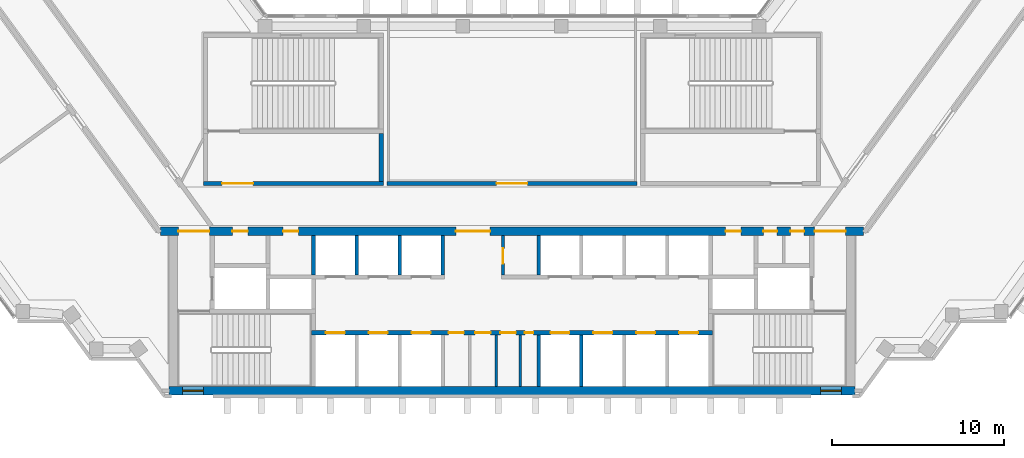
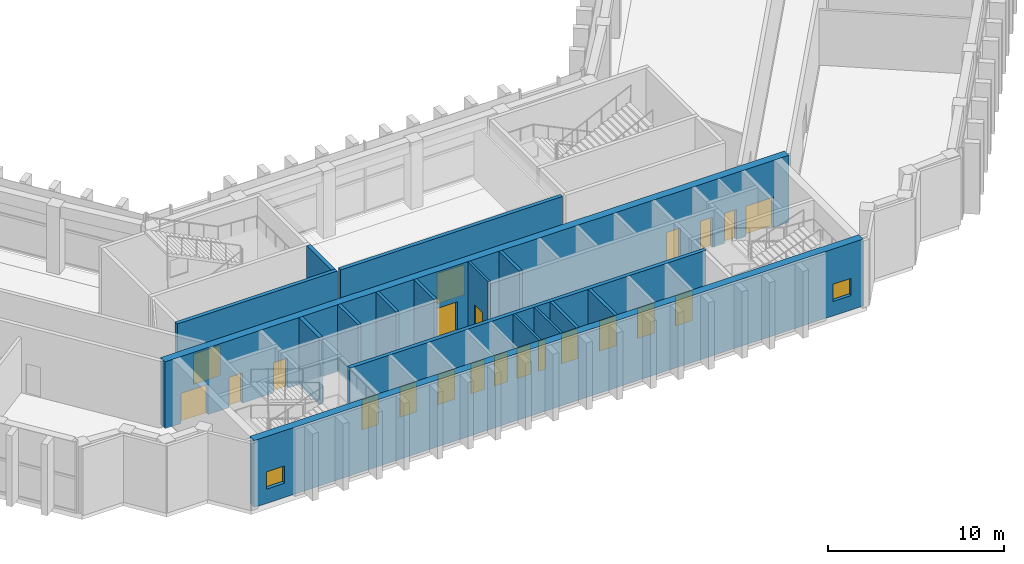
# One storey, part 9 of 14: 22 doors, 16 walls, 2 windows, 24 openings.
"""IFC4 building model written with IfcOpenShell, lengths in metres."""

from ifc_helpers import new_model, si_unit, direction, frame, frame_2d, origin, place, context, subcontext, project, spatial, rectangle, extrude, material, layer, layer_set, type_object, element, fill, save


model = new_model("IFC4")

# Units and contexts
model_context = context("Model", 3, precision=1e-05, world=origin(), true_north=direction((0.0, 1.0)))
body_context = subcontext(model_context, "Body", "Model", "MODEL_VIEW")
ifc_project = project(units=[si_unit("LENGTHUNIT", "METRE"), si_unit("AREAUNIT", "SQUARE_METRE"), si_unit("VOLUMEUNIT", "CUBIC_METRE"), si_unit("PLANEANGLEUNIT", "RADIAN"), si_unit("MASSUNIT", "GRAM", prefix="KILO")], contexts=[model_context])

# Site, building, storey
site_placement = place(None, origin())
site = spatial("IfcSite", under=ifc_project, at=site_placement, CompositionType="ELEMENT")
building_placement = place(site_placement, origin())
building = spatial("IfcBuilding", under=site, at=building_placement, Name="Quipu Civic Tower", CompositionType="ELEMENT")
storey_placement = place(building_placement, frame((0.0, 0.0, 139.0)))
storey = spatial("IfcBuildingStorey", under=building, at=storey_placement, Name="L32", CompositionType="ELEMENT", Elevation=139.0)

# Wall, openings, doors
ifc_material_1 = material(Name="Concrete C70/85", Category="concrete")
ifc_layer_1 = layer(ifc_material_1, 0.25)
ifc_layer_set_1 = layer_set([ifc_layer_1], Name="Concrete C70/85")
wall_type_1 = type_object("IfcWallType", Name="Core wall 250", PredefinedType="SHEAR", material=ifc_layer_set_1)
wall_1_placement = place(storey_placement, frame((11.699951171875, -7.375, 0.0), z_axis=(0.0, 0.0, 1.0), x_axis=(-1.0, 0.0, 0.0)))
wall_1 = element("IfcWall", 1, at=wall_1_placement, inside=storey, type_object=wall_type_1, Name="Core wall", PredefinedType="SHEAR", context=body_context, shape_type="SweptSolid", body=[
    extrude(rectangle(XDim=23.39990234375, YDim=0.25, at=frame_2d((11.699951171875, 0.0))), origin(), (0.0, 0.0, 1.0), 4.64990234375),
])
opening_1_placement = place(wall_1_placement, frame((21.449951171875, 0.0, 0.0)))
opening_1 = element("IfcOpeningElement", 2, at=opening_1_placement, cuts=wall_1, Name="Opening LD-LL1", PredefinedType="OPENING", context=body_context, shape_type="SweptSolid", body=[
    extrude(rectangle(XDim=1.10009765625, YDim=2.10009765625, at=frame_2d((0.550048828125, 1.050048828125))), frame((0.0, 0.135009765625, 0.0), z_axis=(0.0, -1.0, 0.0), x_axis=(1.0, 0.0, 0.0)), (0.0, 0.0, 1.0), 0.27001953125),
])
opening_2_placement = place(wall_1_placement, frame((18.949951171875, 0.0, 0.0)))
opening_2 = element("IfcOpeningElement", 3, at=opening_2_placement, cuts=wall_1, Name="Opening LD-LL2", PredefinedType="OPENING", context=body_context, shape_type="SweptSolid", body=[
    extrude(rectangle(XDim=1.10009765625, YDim=2.10009765625, at=frame_2d((0.550048828125, 1.050048828125))), frame((0.0, 0.135009765625, 0.0), z_axis=(0.0, -1.0, 0.0), x_axis=(1.0, 0.0, 0.0)), (0.0, 0.0, 1.0), 0.27001953125),
])
opening_3_placement = place(wall_1_placement, frame((16.449951171875, 0.0, 0.0)))
opening_3 = element("IfcOpeningElement", 4, at=opening_3_placement, cuts=wall_1, Name="Opening LD-LL3", PredefinedType="OPENING", context=body_context, shape_type="SweptSolid", body=[
    extrude(rectangle(XDim=1.10009765625, YDim=2.10009765625, at=frame_2d((0.550048828125, 1.050048828125))), frame((0.0, 0.135009765625, 0.0), z_axis=(0.0, -1.0, 0.0), x_axis=(1.0, 0.0, 0.0)), (0.0, 0.0, 1.0), 0.27001953125),
])
opening_4_placement = place(wall_1_placement, frame((14.5, 0.0, 0.0)))
opening_4 = element("IfcOpeningElement", 5, at=opening_4_placement, cuts=wall_1, Name="Opening CD-01", PredefinedType="OPENING", context=body_context, shape_type="SweptSolid", body=[
    extrude(rectangle(XDim=0.89990234375, YDim=2.10009765625, at=frame_2d((0.449951171875, 1.050048828125))), frame((0.0, 0.135009765625, 0.0), z_axis=(0.0, -1.0, 0.0), x_axis=(1.0, 0.0, 0.0)), (0.0, 0.0, 1.0), 0.27001953125),
])
opening_5_placement = place(wall_1_placement, frame((12.949951171875, 0.0, 0.0)))
opening_5 = element("IfcOpeningElement", 6, at=opening_5_placement, cuts=wall_1, Name="Opening CD-02", PredefinedType="OPENING", context=body_context, shape_type="SweptSolid", body=[
    extrude(rectangle(XDim=0.89990234375, YDim=2.10009765625, at=frame_2d((0.449951171875, 1.050048828125))), frame((0.0, 0.135009765625, 0.0), z_axis=(0.0, -1.0, 0.0), x_axis=(1.0, 0.0, 0.0)), (0.0, 0.0, 1.0), 0.27001953125),
])
opening_6_placement = place(wall_1_placement, frame((11.47509765625, 0.0, 0.0)))
opening_6 = element("IfcOpeningElement", 7, at=opening_6_placement, cuts=wall_1, Name="Opening CD-03", PredefinedType="OPENING", context=body_context, shape_type="SweptSolid", body=[
    extrude(rectangle(XDim=0.89990234375, YDim=2.10009765625, at=frame_2d((0.449951171875, 1.050048828125))), frame((0.0, 0.135009765625, 0.0), z_axis=(0.0, -1.0, 0.0), x_axis=(1.0, 0.0, 0.0)), (0.0, 0.0, 1.0), 0.27001953125),
])
opening_7_placement = place(wall_1_placement, frame((10.449951171875, 0.0, 0.0)))
opening_7 = element("IfcOpeningElement", 8, at=opening_7_placement, cuts=wall_1, Name="Opening CD-04", PredefinedType="OPENING", context=body_context, shape_type="SweptSolid", body=[
    extrude(rectangle(XDim=0.5, YDim=2.10009765625, at=frame_2d((0.25, 1.050048828125))), frame((0.0, 0.135009765625, 0.0), z_axis=(0.0, -1.0, 0.0), x_axis=(1.0, 0.0, 0.0)), (0.0, 0.0, 1.0), 0.27001953125),
])
opening_8_placement = place(wall_1_placement, frame((8.35009765625, 0.0, 0.0)))
opening_8 = element("IfcOpeningElement", 9, at=opening_8_placement, cuts=wall_1, Name="Opening LD-ML1", PredefinedType="OPENING", context=body_context, shape_type="SweptSolid", body=[
    extrude(rectangle(XDim=1.10009765625, YDim=2.10009765625, at=frame_2d((0.550048828125, 1.050048828125))), frame((0.0, 0.135009765625, 0.0), z_axis=(0.0, -1.0, 0.0), x_axis=(1.0, 0.0, 0.0)), (0.0, 0.0, 1.0), 0.27001953125),
])
opening_9_placement = place(wall_1_placement, frame((5.85009765625, 0.0, 0.0)))
opening_9 = element("IfcOpeningElement", 10, at=opening_9_placement, cuts=wall_1, Name="Opening LD-ML2", PredefinedType="OPENING", context=body_context, shape_type="SweptSolid", body=[
    extrude(rectangle(XDim=1.10009765625, YDim=2.10009765625, at=frame_2d((0.550048828125, 1.050048828125))), frame((0.0, 0.135009765625, 0.0), z_axis=(0.0, -1.0, 0.0), x_axis=(1.0, 0.0, 0.0)), (0.0, 0.0, 1.0), 0.27001953125),
])
opening_10_placement = place(wall_1_placement, frame((3.35009765625, 0.0, 0.0)))
opening_10 = element("IfcOpeningElement", 11, at=opening_10_placement, cuts=wall_1, Name="Opening LD-ML3", PredefinedType="OPENING", context=body_context, shape_type="SweptSolid", body=[
    extrude(rectangle(XDim=1.10009765625, YDim=2.10009765625, at=frame_2d((0.550048828125, 1.050048828125))), frame((0.0, 0.135009765625, 0.0), z_axis=(0.0, -1.0, 0.0), x_axis=(1.0, 0.0, 0.0)), (0.0, 0.0, 1.0), 0.27001953125),
])
opening_11_placement = place(wall_1_placement, frame((0.85009765625, 0.0, 0.0)))
opening_11 = element("IfcOpeningElement", 12, at=opening_11_placement, cuts=wall_1, Name="Opening LD-ML4", PredefinedType="OPENING", context=body_context, shape_type="SweptSolid", body=[
    extrude(rectangle(XDim=1.10009765625, YDim=2.10009765625, at=frame_2d((0.550048828125, 1.050048828125))), frame((0.0, 0.135009765625, 0.0), z_axis=(0.0, -1.0, 0.0), x_axis=(1.0, 0.0, 0.0)), (0.0, 0.0, 1.0), 0.27001953125),
])
ifc_material_2 = material(Name="Fire rated steel door", Category="steel")
door_type_1 = type_object("IfcDoorType", Name="Fire door FD60 500 x 2100", OperationType="NOTDEFINED", PredefinedType="DOOR", material=ifc_material_2)
door_1_placement = place(opening_7_placement, origin())
door_1 = element("IfcDoor", 13, at=door_1_placement, inside=storey, type_object=door_type_1, Name="Door", OperationType="SINGLE_SWING_LEFT", OverallHeight=2.10009765625, OverallWidth=0.5, PredefinedType="DOOR", context=body_context, shape_type="SweptSolid", body=[
    extrude(rectangle(XDim=0.5, YDim=2.10009765625, at=frame_2d((0.25, 1.050048828125))), frame((0.0, 0.02490234375, 0.0), z_axis=(0.0, -1.0, 0.0), x_axis=(1.0, 0.0, 0.0)), (0.0, 0.0, 1.0), 0.050048828125),
])
fill(opening_7, door_1)
ifc_material_3 = material(Name="Fire rated steel door", Category="steel")
door_type_2 = type_object("IfcDoorType", Name="Fire door FD60 900 x 2100", OperationType="NOTDEFINED", PredefinedType="DOOR", material=ifc_material_3)
door_2_placement = place(opening_4_placement, origin())
door_2 = element("IfcDoor", 14, at=door_2_placement, inside=storey, type_object=door_type_2, Name="WC door", OperationType="SINGLE_SWING_RIGHT", OverallHeight=2.10009765625, OverallWidth=0.89990234375, PredefinedType="DOOR", context=body_context, shape_type="SweptSolid", body=[
    extrude(rectangle(XDim=0.89990234375, YDim=2.10009765625, at=frame_2d((0.449951171875, 1.050048828125))), frame((0.0, 0.02490234375, 0.0), z_axis=(0.0, -1.0, 0.0), x_axis=(1.0, 0.0, 0.0)), (0.0, 0.0, 1.0), 0.050048828125),
])
fill(opening_4, door_2)
door_3_placement = place(opening_5_placement, origin())
door_3 = element("IfcDoor", 15, at=door_3_placement, inside=storey, type_object=door_type_2, Name="WC door", OperationType="SINGLE_SWING_RIGHT", OverallHeight=2.10009765625, OverallWidth=0.89990234375, PredefinedType="DOOR", context=body_context, shape_type="SweptSolid", body=[
    extrude(rectangle(XDim=0.89990234375, YDim=2.10009765625, at=frame_2d((0.449951171875, 1.050048828125))), frame((0.0, 0.02490234375, 0.0), z_axis=(0.0, -1.0, 0.0), x_axis=(1.0, 0.0, 0.0)), (0.0, 0.0, 1.0), 0.050048828125),
])
fill(opening_5, door_3)
door_4_placement = place(opening_6_placement, origin())
door_4 = element("IfcDoor", 16, at=door_4_placement, inside=storey, type_object=door_type_2, Name="WC door", OperationType="SINGLE_SWING_RIGHT", OverallHeight=2.10009765625, OverallWidth=0.89990234375, PredefinedType="DOOR", context=body_context, shape_type="SweptSolid", body=[
    extrude(rectangle(XDim=0.89990234375, YDim=2.10009765625, at=frame_2d((0.449951171875, 1.050048828125))), frame((0.0, 0.02490234375, 0.0), z_axis=(0.0, -1.0, 0.0), x_axis=(1.0, 0.0, 0.0)), (0.0, 0.0, 1.0), 0.050048828125),
])
fill(opening_6, door_4)
ifc_material_4 = material(Name="Stainless steel", Category="steel")
door_type_3 = type_object("IfcDoorType", Name="Lift landing door 1100 x 2100", OperationType="DOUBLE_DOOR_SLIDING", PredefinedType="DOOR", material=ifc_material_4)
door_5_placement = place(opening_1_placement, origin())
door_5 = element("IfcDoor", 17, at=door_5_placement, inside=storey, type_object=door_type_3, Name="Landing door LL1", OperationType="DOUBLE_DOOR_SLIDING", OverallHeight=2.10009765625, OverallWidth=1.10009765625, PredefinedType="DOOR", context=body_context, shape_type="SweptSolid", body=[
    extrude(rectangle(XDim=1.10009765625, YDim=2.10009765625, at=frame_2d((0.550048828125, 1.050048828125))), frame((0.0, 0.02490234375, 0.0), z_axis=(0.0, -1.0, 0.0), x_axis=(1.0, 0.0, 0.0)), (0.0, 0.0, 1.0), 0.050048828125),
])
fill(opening_1, door_5)
door_6_placement = place(opening_2_placement, origin())
door_6 = element("IfcDoor", 18, at=door_6_placement, inside=storey, type_object=door_type_3, Name="Landing door LL2", OperationType="DOUBLE_DOOR_SLIDING", OverallHeight=2.10009765625, OverallWidth=1.10009765625, PredefinedType="DOOR", context=body_context, shape_type="SweptSolid", body=[
    extrude(rectangle(XDim=1.10009765625, YDim=2.10009765625, at=frame_2d((0.550048828125, 1.050048828125))), frame((0.0, 0.02490234375, 0.0), z_axis=(0.0, -1.0, 0.0), x_axis=(1.0, 0.0, 0.0)), (0.0, 0.0, 1.0), 0.050048828125),
])
fill(opening_2, door_6)
door_7_placement = place(opening_3_placement, origin())
door_7 = element("IfcDoor", 19, at=door_7_placement, inside=storey, type_object=door_type_3, Name="Landing door LL3", OperationType="DOUBLE_DOOR_SLIDING", OverallHeight=2.10009765625, OverallWidth=1.10009765625, PredefinedType="DOOR", context=body_context, shape_type="SweptSolid", body=[
    extrude(rectangle(XDim=1.10009765625, YDim=2.10009765625, at=frame_2d((0.550048828125, 1.050048828125))), frame((0.0, 0.02490234375, 0.0), z_axis=(0.0, -1.0, 0.0), x_axis=(1.0, 0.0, 0.0)), (0.0, 0.0, 1.0), 0.050048828125),
])
fill(opening_3, door_7)
door_8_placement = place(opening_8_placement, origin())
door_8 = element("IfcDoor", 20, at=door_8_placement, inside=storey, type_object=door_type_3, Name="Landing door ML1", OperationType="DOUBLE_DOOR_SLIDING", OverallHeight=2.10009765625, OverallWidth=1.10009765625, PredefinedType="DOOR", context=body_context, shape_type="SweptSolid", body=[
    extrude(rectangle(XDim=1.10009765625, YDim=2.10009765625, at=frame_2d((0.550048828125, 1.050048828125))), frame((0.0, 0.02490234375, 0.0), z_axis=(0.0, -1.0, 0.0), x_axis=(1.0, 0.0, 0.0)), (0.0, 0.0, 1.0), 0.050048828125),
])
fill(opening_8, door_8)
door_9_placement = place(opening_9_placement, origin())
door_9 = element("IfcDoor", 21, at=door_9_placement, inside=storey, type_object=door_type_3, Name="Landing door ML2", OperationType="DOUBLE_DOOR_SLIDING", OverallHeight=2.10009765625, OverallWidth=1.10009765625, PredefinedType="DOOR", context=body_context, shape_type="SweptSolid", body=[
    extrude(rectangle(XDim=1.10009765625, YDim=2.10009765625, at=frame_2d((0.550048828125, 1.050048828125))), frame((0.0, 0.02490234375, 0.0), z_axis=(0.0, -1.0, 0.0), x_axis=(1.0, 0.0, 0.0)), (0.0, 0.0, 1.0), 0.050048828125),
])
fill(opening_9, door_9)
door_10_placement = place(opening_10_placement, origin())
door_10 = element("IfcDoor", 22, at=door_10_placement, inside=storey, type_object=door_type_3, Name="Landing door ML3", OperationType="DOUBLE_DOOR_SLIDING", OverallHeight=2.10009765625, OverallWidth=1.10009765625, PredefinedType="DOOR", context=body_context, shape_type="SweptSolid", body=[
    extrude(rectangle(XDim=1.10009765625, YDim=2.10009765625, at=frame_2d((0.550048828125, 1.050048828125))), frame((0.0, 0.02490234375, 0.0), z_axis=(0.0, -1.0, 0.0), x_axis=(1.0, 0.0, 0.0)), (0.0, 0.0, 1.0), 0.050048828125),
])
fill(opening_10, door_10)
door_11_placement = place(opening_11_placement, origin())
door_11 = element("IfcDoor", 23, at=door_11_placement, inside=storey, type_object=door_type_3, Name="Landing door ML4", OperationType="DOUBLE_DOOR_SLIDING", OverallHeight=2.10009765625, OverallWidth=1.10009765625, PredefinedType="DOOR", context=body_context, shape_type="SweptSolid", body=[
    extrude(rectangle(XDim=1.10009765625, YDim=2.10009765625, at=frame_2d((0.550048828125, 1.050048828125))), frame((0.0, 0.02490234375, 0.0), z_axis=(0.0, -1.0, 0.0), x_axis=(1.0, 0.0, 0.0)), (0.0, 0.0, 1.0), 0.050048828125),
])
fill(opening_11, door_11)

# Wall
wall_2_placement = place(storey_placement, frame((-11.574951171875, -4.0, 0.0), z_axis=(0.0, 0.0, 1.0), x_axis=(0.0, 1.0, 0.0)))
element("IfcWall", 24, at=wall_2_placement, inside=storey, type_object=wall_type_1, Name="Core wall", PredefinedType="SHEAR", context=body_context, shape_type="SweptSolid", body=[
    extrude(rectangle(XDim=2.300048828125, YDim=0.25, at=frame_2d((1.14990234375, 0.0))), origin(), (0.0, 0.0, 1.0), 4.64990234375),
])

# Wall, opening, door
wall_3_placement = place(storey_placement, frame((-18.0, 1.324951171875, 0.0), z_axis=(0.0, 0.0, 1.0), x_axis=(1.0, 0.0, 0.0)))
wall_3 = element("IfcWall", 25, at=wall_3_placement, inside=storey, type_object=wall_type_1, Name="Core wall", PredefinedType="SHEAR", context=body_context, shape_type="SweptSolid", body=[
    extrude(rectangle(XDim=10.5, YDim=0.25, at=frame_2d((5.25, 0.0))), origin(), (0.0, 0.0, 1.0), 4.64990234375),
])
opening_12_placement = place(wall_3_placement, frame((1.10009765625, 0.0, 0.0)))
opening_12 = element("IfcOpeningElement", 26, at=opening_12_placement, cuts=wall_3, Name="Opening CD-16", PredefinedType="OPENING", context=body_context, shape_type="SweptSolid", body=[
    extrude(rectangle(XDim=1.800048828125, YDim=2.10009765625, at=frame_2d((0.89990234375, 1.050048828125))), frame((0.0, 0.135009765625, 0.0), z_axis=(0.0, -1.0, 0.0), x_axis=(1.0, 0.0, 0.0)), (0.0, 0.0, 1.0), 0.27001953125),
])
ifc_material_5 = material(Name="Fire rated steel door", Category="steel")
door_type_4 = type_object("IfcDoorType", Name="Fire door FD90 double 1800 x 2100", OperationType="NOTDEFINED", PredefinedType="DOOR", material=ifc_material_5)
door_12_placement = place(opening_12_placement, origin())
door_12 = element("IfcDoor", 27, at=door_12_placement, inside=storey, type_object=door_type_4, Name="Lobby door", OperationType="DOUBLE_DOOR_SINGLE_SWING", OverallHeight=2.10009765625, OverallWidth=1.800048828125, PredefinedType="DOOR", context=body_context, shape_type="SweptSolid", body=[
    extrude(rectangle(XDim=1.800048828125, YDim=2.10009765625, at=frame_2d((0.89990234375, 1.050048828125))), frame((0.0, 0.02490234375, 0.0), z_axis=(0.0, -1.0, 0.0), x_axis=(1.0, 0.0, 0.0)), (0.0, 0.0, 1.0), 0.050048828125),
])
fill(opening_12, door_12)

# Wall
wall_4_placement = place(storey_placement, frame((-7.625, 1.449951171875, 0.0), z_axis=(0.0, 0.0, 1.0), x_axis=(0.0, 1.0, 0.0)))
element("IfcWall", 28, at=wall_4_placement, inside=storey, type_object=wall_type_1, Name="Core wall", PredefinedType="SHEAR", context=body_context, shape_type="SweptSolid", body=[
    extrude(rectangle(XDim=2.800048828125, YDim=0.25, at=frame_2d((1.39990234375, 0.0))), origin(), (0.0, 0.0, 1.0), 4.64990234375),
])

# Wall, openings, windows
ifc_material_6 = material(Name="Concrete C70/85", Category="concrete")
ifc_layer_2 = layer(ifc_material_6, 0.5)
ifc_layer_set_2 = layer_set([ifc_layer_2], Name="Concrete C70/85")
wall_type_2 = type_object("IfcWallType", Name="Core wall 500", PredefinedType="SHEAR", material=ifc_layer_set_2)
wall_5_placement = place(storey_placement, frame((-20.0, -10.75, 0.0), z_axis=(0.0, 0.0, 1.0), x_axis=(1.0, 0.0, 0.0)))
wall_5 = element("IfcWall", 29, at=wall_5_placement, inside=storey, type_object=wall_type_2, Name="Core wall", PredefinedType="SHEAR", context=body_context, shape_type="SweptSolid", body=[
    extrude(rectangle(XDim=40.0, YDim=0.5, at=frame_2d((20.0, 0.0))), origin(), (0.0, 0.0, 1.0), 4.64990234375),
])
opening_13_placement = place(wall_5_placement, frame((0.800048828125, 0.0, 1.0)))
opening_13 = element("IfcOpeningElement", 30, at=opening_13_placement, cuts=wall_5, Name="Opening SV-1", PredefinedType="OPENING", context=body_context, shape_type="SweptSolid", body=[
    extrude(rectangle(XDim=1.199951171875, YDim=1.199951171875, at=frame_2d((0.60009765625, 0.60009765625))), frame((0.0, 0.260009765625, 0.0), z_axis=(0.0, -1.0, 0.0), x_axis=(1.0, 0.0, 0.0)), (0.0, 0.0, 1.0), 0.52001953125),
])
opening_14_placement = place(wall_5_placement, frame((38.0, 0.0, 1.0)))
opening_14 = element("IfcOpeningElement", 31, at=opening_14_placement, cuts=wall_5, Name="Opening SV-2", PredefinedType="OPENING", context=body_context, shape_type="SweptSolid", body=[
    extrude(rectangle(XDim=1.199951171875, YDim=1.199951171875, at=frame_2d((0.60009765625, 0.60009765625))), frame((0.0, 0.260009765625, 0.0), z_axis=(0.0, -1.0, 0.0), x_axis=(1.0, 0.0, 0.0)), (0.0, 0.0, 1.0), 0.52001953125),
])
ifc_material_7 = material(Name="Aluminium louvre", Category="aluminium")
window_type = type_object("IfcWindowType", Name="Stair ventilation louvre 1200 x 1200", PartitioningType="SINGLE_PANEL", PredefinedType="WINDOW", material=ifc_material_7)
window_1_placement = place(opening_13_placement, origin())
window_1 = element("IfcWindow", 32, at=window_1_placement, inside=storey, type_object=window_type, Name="Stair ventilation opening", OverallHeight=1.199951171875, OverallWidth=1.199951171875, PartitioningType="SINGLE_PANEL", PredefinedType="WINDOW", context=body_context, shape_type="SweptSolid", body=[
    extrude(rectangle(XDim=1.199951171875, YDim=1.199951171875, at=frame_2d((0.60009765625, 0.60009765625))), frame((0.0, 0.030029296875, 0.0), z_axis=(0.0, -1.0, 0.0), x_axis=(1.0, 0.0, 0.0)), (0.0, 0.0, 1.0), 0.06005859375),
])
fill(opening_13, window_1)
window_2_placement = place(opening_14_placement, origin())
window_2 = element("IfcWindow", 33, at=window_2_placement, inside=storey, type_object=window_type, Name="Stair ventilation opening", OverallHeight=1.199951171875, OverallWidth=1.199951171875, PartitioningType="SINGLE_PANEL", PredefinedType="WINDOW", context=body_context, shape_type="SweptSolid", body=[
    extrude(rectangle(XDim=1.199951171875, YDim=1.199951171875, at=frame_2d((0.60009765625, 0.60009765625))), frame((0.0, 0.030029296875, 0.0), z_axis=(0.0, -1.0, 0.0), x_axis=(1.0, 0.0, 0.0)), (0.0, 0.0, 1.0), 0.06005859375),
])
fill(opening_14, window_2)

# Wall, openings, doors
wall_6_placement = place(storey_placement, frame((20.489990234375, -1.449951171875, 0.0), z_axis=(0.0, 0.0, 1.0), x_axis=(-1.0, 0.0, 0.0)))
wall_6 = element("IfcWall", 34, at=wall_6_placement, inside=storey, type_object=wall_type_2, Name="Core wall", PredefinedType="SHEAR", context=body_context, shape_type="SweptSolid", body=[
    extrude(rectangle(XDim=40.97998046875, YDim=0.5, at=frame_2d((20.489990234375, 0.0))), origin(), (0.0, 0.0, 1.0), 4.64990234375),
])
opening_15_placement = place(wall_6_placement, frame((38.139892578125, 0.0, 0.0)))
opening_15 = element("IfcOpeningElement", 35, at=opening_15_placement, cuts=wall_6, Name="Opening CD-08", PredefinedType="OPENING", context=body_context, shape_type="SweptSolid", body=[
    extrude(rectangle(XDim=1.800048828125, YDim=2.10009765625, at=frame_2d((0.89990234375, 1.050048828125))), frame((0.0, 0.260009765625, 0.0), z_axis=(0.0, -1.0, 0.0), x_axis=(1.0, 0.0, 0.0)), (0.0, 0.0, 1.0), 0.52001953125),
])
opening_16_placement = place(wall_6_placement, frame((35.889892578125, 0.0, 0.0)))
opening_16 = element("IfcOpeningElement", 36, at=opening_16_placement, cuts=wall_6, Name="Opening CD-09", PredefinedType="OPENING", context=body_context, shape_type="SweptSolid", body=[
    extrude(rectangle(XDim=0.89990234375, YDim=2.10009765625, at=frame_2d((0.449951171875, 1.050048828125))), frame((0.0, 0.260009765625, 0.0), z_axis=(0.0, -1.0, 0.0), x_axis=(1.0, 0.0, 0.0)), (0.0, 0.0, 1.0), 0.52001953125),
])
opening_17_placement = place(wall_6_placement, frame((32.93994140625, 0.0, 0.0)))
opening_17 = element("IfcOpeningElement", 37, at=opening_17_placement, cuts=wall_6, Name="Opening CD-10", PredefinedType="OPENING", context=body_context, shape_type="SweptSolid", body=[
    extrude(rectangle(XDim=0.89990234375, YDim=2.10009765625, at=frame_2d((0.449951171875, 1.050048828125))), frame((0.0, 0.260009765625, 0.0), z_axis=(0.0, -1.0, 0.0), x_axis=(1.0, 0.0, 0.0)), (0.0, 0.0, 1.0), 0.52001953125),
])
opening_18_placement = place(wall_6_placement, frame((21.764892578125, 0.0, 0.0)))
opening_18 = element("IfcOpeningElement", 38, at=opening_18_placement, cuts=wall_6, Name="Opening CD-11", PredefinedType="OPENING", context=body_context, shape_type="SweptSolid", body=[
    extrude(rectangle(XDim=2.0, YDim=2.10009765625, at=frame_2d((1.0, 1.050048828125))), frame((0.0, 0.260009765625, 0.0), z_axis=(0.0, -1.0, 0.0), x_axis=(1.0, 0.0, 0.0)), (0.0, 0.0, 1.0), 0.52001953125),
])
opening_19_placement = place(wall_6_placement, frame((7.139892578125, 0.0, 0.0)))
opening_19 = element("IfcOpeningElement", 39, at=opening_19_placement, cuts=wall_6, Name="Opening CD-12", PredefinedType="OPENING", context=body_context, shape_type="SweptSolid", body=[
    extrude(rectangle(XDim=0.89990234375, YDim=2.10009765625, at=frame_2d((0.449951171875, 1.050048828125))), frame((0.0, 0.260009765625, 0.0), z_axis=(0.0, -1.0, 0.0), x_axis=(1.0, 0.0, 0.0)), (0.0, 0.0, 1.0), 0.52001953125),
])
opening_20_placement = place(wall_6_placement, frame((5.027587890625, 0.0, 0.0)))
opening_20 = element("IfcOpeningElement", 40, at=opening_20_placement, cuts=wall_6, Name="Opening CD-13", PredefinedType="OPENING", context=body_context, shape_type="SweptSolid", body=[
    extrude(rectangle(XDim=0.800048828125, YDim=2.10009765625, at=frame_2d((0.39990234375, 1.050048828125))), frame((0.0, 0.260009765625, 0.0), z_axis=(0.0, -1.0, 0.0), x_axis=(1.0, 0.0, 0.0)), (0.0, 0.0, 1.0), 0.52001953125),
])
opening_21_placement = place(wall_6_placement, frame((3.452392578125, 0.0, 0.0)))
opening_21 = element("IfcOpeningElement", 41, at=opening_21_placement, cuts=wall_6, Name="Opening CD-14", PredefinedType="OPENING", context=body_context, shape_type="SweptSolid", body=[
    extrude(rectangle(XDim=0.800048828125, YDim=2.10009765625, at=frame_2d((0.39990234375, 1.050048828125))), frame((0.0, 0.260009765625, 0.0), z_axis=(0.0, -1.0, 0.0), x_axis=(1.0, 0.0, 0.0)), (0.0, 0.0, 1.0), 0.52001953125),
])
opening_22_placement = place(wall_6_placement, frame((1.0400390625, 0.0, 0.0)))
opening_22 = element("IfcOpeningElement", 42, at=opening_22_placement, cuts=wall_6, Name="Opening CD-15", PredefinedType="OPENING", context=body_context, shape_type="SweptSolid", body=[
    extrude(rectangle(XDim=1.800048828125, YDim=2.10009765625, at=frame_2d((0.89990234375, 1.050048828125))), frame((0.0, 0.260009765625, 0.0), z_axis=(0.0, -1.0, 0.0), x_axis=(1.0, 0.0, 0.0)), (0.0, 0.0, 1.0), 0.52001953125),
])
ifc_material_8 = material(Name="Fire rated steel door", Category="steel")
door_type_5 = type_object("IfcDoorType", Name="Fire door FD60 800 x 2100", OperationType="NOTDEFINED", PredefinedType="DOOR", material=ifc_material_8)
door_13_placement = place(opening_20_placement, origin())
door_13 = element("IfcDoor", 43, at=door_13_placement, inside=storey, type_object=door_type_5, Name="Door", OperationType="SINGLE_SWING_LEFT", OverallHeight=2.10009765625, OverallWidth=0.800048828125, PredefinedType="DOOR", context=body_context, shape_type="SweptSolid", body=[
    extrude(rectangle(XDim=0.800048828125, YDim=2.10009765625, at=frame_2d((0.39990234375, 1.050048828125))), frame((0.0, 0.02490234375, 0.0), z_axis=(0.0, -1.0, 0.0), x_axis=(1.0, 0.0, 0.0)), (0.0, 0.0, 1.0), 0.050048828125),
])
fill(opening_20, door_13)
door_14_placement = place(opening_21_placement, origin())
door_14 = element("IfcDoor", 44, at=door_14_placement, inside=storey, type_object=door_type_5, Name="Door", OperationType="SINGLE_SWING_LEFT", OverallHeight=2.10009765625, OverallWidth=0.800048828125, PredefinedType="DOOR", context=body_context, shape_type="SweptSolid", body=[
    extrude(rectangle(XDim=0.800048828125, YDim=2.10009765625, at=frame_2d((0.39990234375, 1.050048828125))), frame((0.0, 0.02490234375, 0.0), z_axis=(0.0, -1.0, 0.0), x_axis=(1.0, 0.0, 0.0)), (0.0, 0.0, 1.0), 0.050048828125),
])
fill(opening_21, door_14)
door_15_placement = place(opening_16_placement, origin())
door_15 = element("IfcDoor", 45, at=door_15_placement, inside=storey, type_object=door_type_2, Name="Door", OperationType="SINGLE_SWING_RIGHT", OverallHeight=2.10009765625, OverallWidth=0.89990234375, PredefinedType="DOOR", context=body_context, shape_type="SweptSolid", body=[
    extrude(rectangle(XDim=0.89990234375, YDim=2.10009765625, at=frame_2d((0.449951171875, 1.050048828125))), frame((0.0, 0.02490234375, 0.0), z_axis=(0.0, -1.0, 0.0), x_axis=(1.0, 0.0, 0.0)), (0.0, 0.0, 1.0), 0.050048828125),
])
fill(opening_16, door_15)
door_16_placement = place(opening_17_placement, origin())
door_16 = element("IfcDoor", 46, at=door_16_placement, inside=storey, type_object=door_type_2, Name="Riser door", OperationType="SINGLE_SWING_RIGHT", OverallHeight=2.10009765625, OverallWidth=0.89990234375, PredefinedType="DOOR", context=body_context, shape_type="SweptSolid", body=[
    extrude(rectangle(XDim=0.89990234375, YDim=2.10009765625, at=frame_2d((0.449951171875, 1.050048828125))), frame((0.0, 0.02490234375, 0.0), z_axis=(0.0, -1.0, 0.0), x_axis=(1.0, 0.0, 0.0)), (0.0, 0.0, 1.0), 0.050048828125),
])
fill(opening_17, door_16)
door_17_placement = place(opening_19_placement, origin())
door_17 = element("IfcDoor", 47, at=door_17_placement, inside=storey, type_object=door_type_2, Name="Riser door", OperationType="SINGLE_SWING_LEFT", OverallHeight=2.10009765625, OverallWidth=0.89990234375, PredefinedType="DOOR", context=body_context, shape_type="SweptSolid", body=[
    extrude(rectangle(XDim=0.89990234375, YDim=2.10009765625, at=frame_2d((0.449951171875, 1.050048828125))), frame((0.0, 0.02490234375, 0.0), z_axis=(0.0, -1.0, 0.0), x_axis=(1.0, 0.0, 0.0)), (0.0, 0.0, 1.0), 0.050048828125),
])
fill(opening_19, door_17)
door_18_placement = place(opening_15_placement, origin())
door_18 = element("IfcDoor", 48, at=door_18_placement, inside=storey, type_object=door_type_4, Name="Lobby door", OperationType="DOUBLE_DOOR_SINGLE_SWING", OverallHeight=2.10009765625, OverallWidth=1.800048828125, PredefinedType="DOOR", context=body_context, shape_type="SweptSolid", body=[
    extrude(rectangle(XDim=1.800048828125, YDim=2.10009765625, at=frame_2d((0.89990234375, 1.050048828125))), frame((0.0, 0.02490234375, 0.0), z_axis=(0.0, -1.0, 0.0), x_axis=(1.0, 0.0, 0.0)), (0.0, 0.0, 1.0), 0.050048828125),
])
fill(opening_15, door_18)
door_19_placement = place(opening_22_placement, origin())
door_19 = element("IfcDoor", 49, at=door_19_placement, inside=storey, type_object=door_type_4, Name="Lobby door", OperationType="DOUBLE_DOOR_SINGLE_SWING", OverallHeight=2.10009765625, OverallWidth=1.800048828125, PredefinedType="DOOR", context=body_context, shape_type="SweptSolid", body=[
    extrude(rectangle(XDim=1.800048828125, YDim=2.10009765625, at=frame_2d((0.89990234375, 1.050048828125))), frame((0.0, 0.02490234375, 0.0), z_axis=(0.0, -1.0, 0.0), x_axis=(1.0, 0.0, 0.0)), (0.0, 0.0, 1.0), 0.050048828125),
])
fill(opening_22, door_19)
ifc_material_9 = material(Name="Fire rated steel door", Category="steel")
door_type_6 = type_object("IfcDoorType", Name="Fire door FD90 double 2000 x 2100", OperationType="NOTDEFINED", PredefinedType="DOOR", material=ifc_material_9)
door_20_placement = place(opening_18_placement, origin())
door_20 = element("IfcDoor", 50, at=door_20_placement, inside=storey, type_object=door_type_6, Name="Lobby door", OperationType="DOUBLE_DOOR_SINGLE_SWING", OverallHeight=2.10009765625, OverallWidth=2.0, PredefinedType="DOOR", context=body_context, shape_type="SweptSolid", body=[
    extrude(rectangle(XDim=2.0, YDim=2.10009765625, at=frame_2d((1.0, 1.050048828125))), frame((0.0, 0.02490234375, 0.0), z_axis=(0.0, -1.0, 0.0), x_axis=(1.0, 0.0, 0.0)), (0.0, 0.0, 1.0), 0.050048828125),
])
fill(opening_18, door_20)

# Wall, opening, door
ifc_material_10 = material(Name="Concrete C50/60", Category="concrete")
ifc_layer_3 = layer(ifc_material_10, 0.25)
ifc_layer_set_3 = layer_set([ifc_layer_3], Name="Concrete C50/60")
wall_type_3 = type_object("IfcWallType", Name="Corridor wall 250 concrete", PredefinedType="SOLIDWALL", material=ifc_layer_set_3)
wall_7_placement = place(storey_placement, frame((-7.289306640625, 1.324951171875, 0.0), z_axis=(0.0, 0.0, 1.0), x_axis=(1.0, 0.0, 0.0)))
wall_7 = element("IfcWall", 51, at=wall_7_placement, inside=storey, type_object=wall_type_3, Name="Corridor wall C04", PredefinedType="SOLIDWALL", context=body_context, shape_type="SweptSolid", body=[
    extrude(rectangle(XDim=14.57861328125, YDim=0.25, at=frame_2d((7.289306640625, 0.0))), origin(), (0.0, 0.0, 1.0), 4.64990234375),
])
opening_23_placement = place(wall_7_placement, frame((6.389404296875, 0.0, 0.0)))
opening_23 = element("IfcOpeningElement", 52, at=opening_23_placement, cuts=wall_7, Name="Opening D006", PredefinedType="OPENING", context=body_context, shape_type="SweptSolid", body=[
    extrude(rectangle(XDim=1.800048828125, YDim=2.10009765625, at=frame_2d((0.89990234375, 1.050048828125))), frame((0.0, 0.135009765625, 0.0), z_axis=(0.0, -1.0, 0.0), x_axis=(1.0, 0.0, 0.0)), (0.0, 0.0, 1.0), 0.27001953125),
])
ifc_material_11 = material(Name="Fire rated timber door set with metal frame", Category="wood")
door_type_7 = type_object("IfcDoorType", Name="Double door 1800 x 2100 FD60", OperationType="DOUBLE_DOOR_SINGLE_SWING", PredefinedType="DOOR", material=ifc_material_11)
door_21_placement = place(opening_23_placement, origin())
door_21 = element("IfcDoor", 53, at=door_21_placement, inside=storey, type_object=door_type_7, Name="Door D006", OperationType="DOUBLE_DOOR_SINGLE_SWING", OverallHeight=2.10009765625, OverallWidth=1.800048828125, PredefinedType="DOOR", context=body_context, shape_type="SweptSolid", body=[
    extrude(rectangle(XDim=1.800048828125, YDim=2.10009765625, at=frame_2d((0.89990234375, 1.050048828125))), frame((0.0, 0.02490234375, 0.0), z_axis=(0.0, -1.0, 0.0), x_axis=(1.0, 0.0, 0.0)), (0.0, 0.0, 1.0), 0.050048828125),
])
fill(opening_23, door_21)

# Walls
ifc_material_12 = material(Name="Gypsum board partition")
ifc_layer_4 = layer(ifc_material_12, 0.14990234375)
ifc_layer_set_4 = layer_set([ifc_layer_4], Name="Gypsum board partition")
wall_type_4 = type_object("IfcWallType", Name="Partition 150", PredefinedType="PARTITIONING", material=ifc_layer_set_4)
for number, where, z_axis, x_axis, name in (
    (54, (-0.925048828125, -10.5, 0.0), (0.0, 0.0, 1.0), (0.0, 1.0, 0.0), "Partition"),
    (55, (0.47509765625, -10.5, 0.0), (0.0, 0.0, 1.0), (0.0, 1.0, 0.0), "Partition"),
):
    element("IfcWall", number, at=place(storey_placement, frame(where, z_axis=z_axis, x_axis=x_axis)), inside=storey, type_object=wall_type_4, Name=name, PredefinedType="PARTITIONING", context=body_context, shape_type="SweptSolid", body=[
        extrude(rectangle(XDim=3.0, YDim=0.14990234375, at=frame_2d((1.5, 0.0))), origin(), (0.0, 0.0, 1.0), 4.64990234375),
    ])

# Wall, opening, door
wall_8_placement = place(storey_placement, frame((-0.52490234375, -4.0, 0.0), z_axis=(0.0, 0.0, 1.0), x_axis=(0.0, 1.0, 0.0)))
wall_8 = element("IfcWall", 56, at=wall_8_placement, inside=storey, type_object=wall_type_4, Name="Partition", PredefinedType="PARTITIONING", context=body_context, shape_type="SweptSolid", body=[
    extrude(rectangle(XDim=2.300048828125, YDim=0.14990234375, at=frame_2d((1.14990234375, 0.0))), origin(), (0.0, 0.0, 1.0), 4.64990234375),
])
opening_24_placement = place(wall_8_placement, frame((0.64990234375, 0.0, 0.0)))
opening_24 = element("IfcOpeningElement", 57, at=opening_24_placement, cuts=wall_8, Name="Opening CD-07", PredefinedType="OPENING", context=body_context, shape_type="SweptSolid", body=[
    extrude(rectangle(XDim=0.89990234375, YDim=2.10009765625, at=frame_2d((0.449951171875, 1.050048828125))), frame((0.0, 0.0849609375, 0.0), z_axis=(0.0, -1.0, 0.0), x_axis=(1.0, 0.0, 0.0)), (0.0, 0.0, 1.0), 0.169921875),
])
door_22_placement = place(opening_24_placement, origin())
door_22 = element("IfcDoor", 58, at=door_22_placement, inside=storey, type_object=door_type_2, Name="WC door", OperationType="SINGLE_SWING_LEFT", OverallHeight=2.10009765625, OverallWidth=0.89990234375, PredefinedType="DOOR", context=body_context, shape_type="SweptSolid", body=[
    extrude(rectangle(XDim=0.89990234375, YDim=2.10009765625, at=frame_2d((0.449951171875, 1.050048828125))), frame((0.0, 0.02490234375, 0.0), z_axis=(0.0, -1.0, 0.0), x_axis=(1.0, 0.0, 0.0)), (0.0, 0.0, 1.0), 0.050048828125),
])
fill(opening_24, door_22)

# Walls
ifc_material_13 = material(Name="Concrete C40/50", Category="concrete")
ifc_layer_5 = layer(ifc_material_13, 0.199951171875)
ifc_layer_set_5 = layer_set([ifc_layer_5], Name="Concrete C40/50")
wall_type_5 = type_object("IfcWallType", Name="Shaft wall 200", PredefinedType="SOLIDWALL", material=ifc_layer_set_5)
for number, where, z_axis, x_axis, name in (
    (59, (1.550048828125, -10.5, 0.0), (0.0, 0.0, 1.0), (0.0, 1.0, 0.0), "Shaft wall"),
    (60, (4.050048828125, -10.5, 0.0), (0.0, 0.0, 1.0), (0.0, 1.0, 0.0), "Shaft wall"),
):
    element("IfcWall", number, at=place(storey_placement, frame(where, z_axis=z_axis, x_axis=x_axis)), inside=storey, type_object=wall_type_5, Name=name, PredefinedType="SOLIDWALL", context=body_context, shape_type="SweptSolid", body=[
        extrude(rectangle(XDim=3.0, YDim=0.199951171875, at=frame_2d((1.5, 0.0))), origin(), (0.0, 0.0, 1.0), 4.64990234375),
    ])
for number, where, z_axis, x_axis, name in (
    (61, (-9.050048828125, -4.0, 0.0), (0.0, 0.0, 1.0), (0.0, 1.0, 0.0), "Shaft wall"),
    (62, (-6.550048828125, -4.0, 0.0), (0.0, 0.0, 1.0), (0.0, 1.0, 0.0), "Shaft wall"),
    (63, (-4.050048828125, -4.0, 0.0), (0.0, 0.0, 1.0), (0.0, 1.0, 0.0), "Shaft wall"),
    (64, (1.550048828125, -4.0, 0.0), (0.0, 0.0, 1.0), (0.0, 1.0, 0.0), "Shaft wall"),
):
    element("IfcWall", number, at=place(storey_placement, frame(where, z_axis=z_axis, x_axis=x_axis)), inside=storey, type_object=wall_type_5, Name=name, PredefinedType="SOLIDWALL", context=body_context, shape_type="SweptSolid", body=[
        extrude(rectangle(XDim=2.300048828125, YDim=0.199951171875, at=frame_2d((1.14990234375, 0.0))), origin(), (0.0, 0.0, 1.0), 4.64990234375),
    ])

save(model, "model.ifc")
